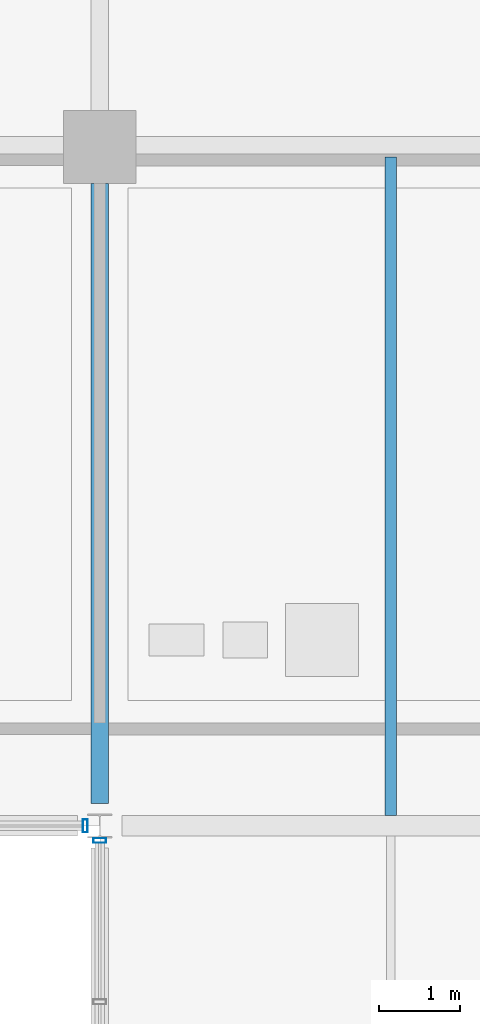
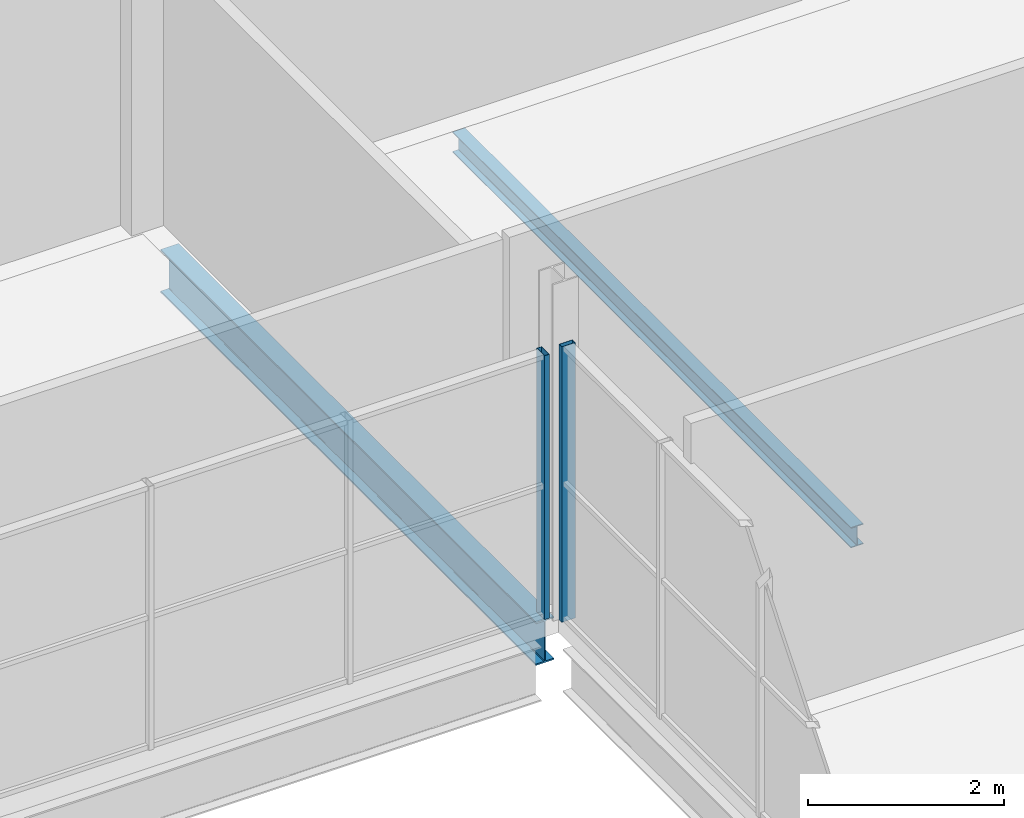
# One storey, part 42 of 161: 2 beams, 2 members, 2 elements without a shape of their own.
"""IFC4 building model written with IfcOpenShell, lengths in metres."""

from ifc_helpers import new_model, si_unit, direction, frame, origin, origin_2d, place, context, subcontext, project, spatial, hollow_rectangle, i_section, extrude, material, material_profile, profile_set, type_object, element, aggregate, save


model = new_model("IFC4")

# Units and contexts
model_context = context("Model", 3, precision=1e-05, world=origin(), true_north=direction((0.0, 1.0)))
body_context = subcontext(model_context, "Body", "Model", "MODEL_VIEW")
ifc_project = project(units=[si_unit("LENGTHUNIT", "METRE"), si_unit("AREAUNIT", "SQUARE_METRE"), si_unit("VOLUMEUNIT", "CUBIC_METRE"), si_unit("PLANEANGLEUNIT", "RADIAN"), si_unit("MASSUNIT", "GRAM", prefix="KILO"), si_unit("THERMODYNAMICTEMPERATUREUNIT", "KELVIN")], contexts=[model_context])

# Site, building, storey
site_placement = place(None, origin())
site = spatial("IfcSite", under=ifc_project, at=site_placement, CompositionType="ELEMENT")
building_placement = place(site_placement, origin())
building = spatial("IfcBuilding", under=site, at=building_placement, Name="Nduvali Passage Aquatics Centre", CompositionType="ELEMENT")
storey_placement = place(building_placement, frame((0.0, 0.0, 4.800048828125)))
storey = spatial("IfcBuildingStorey", under=building, at=storey_placement, Name="L01", CompositionType="ELEMENT", Elevation=4.800048828125)

# Curtain wall, member
ifc_material_1 = material(Name="Aluminium EN AW-6063 T6", Category="aluminium")
curtain_wall_type = type_object("IfcCurtainWallType", Name="ENV-CW-COUR", PredefinedType="NOTDEFINED", material=ifc_material_1)
curtain_wall_1_placement = place(storey_placement, origin())
curtain_wall_1 = element("IfcCurtainWall", 1, at=curtain_wall_1_placement, inside=storey, type_object=curtain_wall_type, Name="L01 Monsoon Courtyard Upper Cloister CW 166", PredefinedType="NOTDEFINED")
ifc_material_profile_1 = material_profile(ifc_material_1, hollow_rectangle(XDim=0.06005859375, YDim=0.159912109375, WallThickness=0.00390625, at=origin_2d()), Name="ALU MULLION 60x160x4")
ifc_profile_set_1 = profile_set([ifc_material_profile_1], Name="Aluminium EN AW-6063 T6")
member_type = type_object("IfcMemberType", Name="ENV-MEM-MUL60", PredefinedType="MULLION", material=ifc_profile_set_1)
member_1_placement = place(storey_placement, frame((97.02001953125, 16.800048828125, 0.0), z_axis=(0.0, 0.0, 1.0), x_axis=(1.0, 0.0, 0.0)))
member_1 = element("IfcMember", 2, at=member_1_placement, type_object=member_type, Name="Monsoon Courtyard Upper Cloister CW Mullion 7", PredefinedType="MULLION", context=body_context, shape_type="SweptSolid", body=[
    extrude(hollow_rectangle(XDim=0.06005859375, YDim=0.159912109375, WallThickness=0.00390625, at=origin_2d()), origin(), (0.0, 0.0, 1.0), 3.29248046875),
])
aggregate(curtain_wall_1, [member_1])

curtain_wall_2_placement = place(storey_placement, origin())
curtain_wall_2 = element("IfcCurtainWall", 3, at=curtain_wall_2_placement, inside=storey, type_object=curtain_wall_type, Name="L01 Courtyard East Upper Cloister CW 174", PredefinedType="NOTDEFINED")
member_2_placement = place(storey_placement, frame((97.199951171875, 16.6201171875, 0.0), z_axis=(0.0, 0.0, 1.0), x_axis=(0.0, 1.0, 0.0)))
member_2 = element("IfcMember", 4, at=member_2_placement, type_object=member_type, Name="Courtyard East Upper Cloister CW Mullion 5", PredefinedType="MULLION", context=body_context, shape_type="SweptSolid", body=[
    extrude(hollow_rectangle(XDim=0.06005859375, YDim=0.159912109375, WallThickness=0.00390625, at=origin_2d()), origin(), (0.0, 0.0, 1.0), 3.436279296875),
])
aggregate(curtain_wall_2, [member_2])

# Beams
ifc_material_2 = material(Name="Steel S355", Category="steel")
ifc_material_profile_2 = material_profile(ifc_material_2, i_section(OverallWidth=0.210693359375, OverallDepth=0.53955078125, WebThickness=0.01171875, FlangeThickness=0.018798828125, FilletRadius=0.0126953125, at=origin_2d()), Name="UKB 533x210x109")
ifc_profile_set_2 = profile_set([ifc_material_profile_2], Name="Steel S355")
beam_type_1 = type_object("IfcBeamType", Name="STR-BM-UKB533", PredefinedType="BEAM", material=ifc_profile_set_2)
beam_1_placement = place(storey_placement, frame((97.199951171875, 17.074951171875, -0.553955078125), z_axis=(0.0, 1.0, 0.0), x_axis=(-1.0, 0.0, 0.0)))
element("IfcBeam", 5, at=beam_1_placement, inside=storey, type_object=beam_type_1, Name="L01 Primary Y-Girder B6-0608", PredefinedType="BEAM", context=body_context, shape_type="SweptSolid", body=[
    extrude(i_section(OverallWidth=0.210693359375, OverallDepth=0.53955078125, WebThickness=0.01171875, FlangeThickness=0.018798828125, FilletRadius=0.0126953125, at=origin_2d()), origin(), (0.0, 0.0, 1.0), 7.675048828125),
])
ifc_material_profile_3 = material_profile(ifc_material_2, i_section(OverallWidth=0.146484375, OverallDepth=0.256103515625, WebThickness=0.00634765625, FlangeThickness=0.010986328125, FilletRadius=0.007568359375, at=origin_2d()), Name="UKB 254x146x37")
ifc_profile_set_3 = profile_set([ifc_material_profile_3], Name="Steel S355")
beam_type_2 = type_object("IfcBeamType", Name="STR-JST-UKB254", PredefinedType="JOIST", material=ifc_profile_set_3)
beam_2_placement = place(storey_placement, frame((100.800048828125, 16.9267578125, -0.412109375), z_axis=(0.0, 1.0, 0.0), x_axis=(-1.0, 0.0, 0.0)))
element("IfcBeam", 6, at=beam_2_placement, inside=storey, type_object=beam_type_2, Name="L01 Secondary Joist J4-0722", PredefinedType="JOIST", context=body_context, shape_type="SweptSolid", body=[
    extrude(i_section(OverallWidth=0.146484375, OverallDepth=0.256103515625, WebThickness=0.00634765625, FlangeThickness=0.010986328125, FilletRadius=0.007568359375, at=origin_2d()), origin(), (0.0, 0.0, 1.0), 8.146484375),
])

save(model, "model.ifc")
